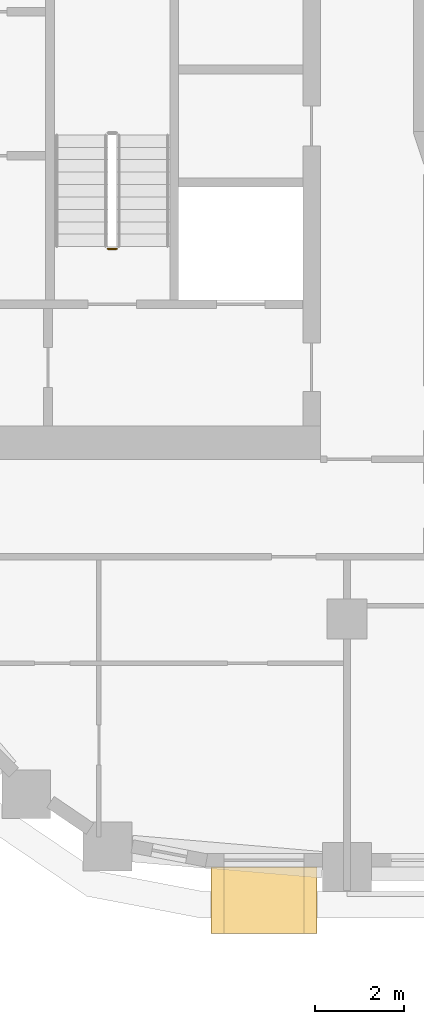
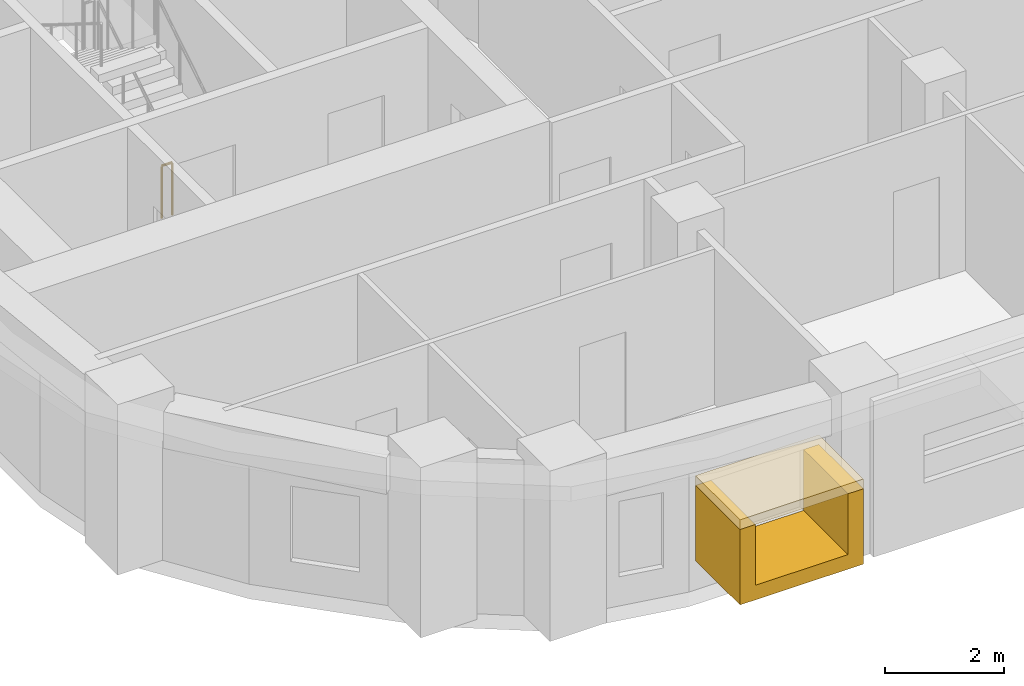
# One storey, part 11 of 22: 2 coverings, 1 railing.
"""IFC4 building model written with IfcOpenShell, lengths in metres."""

from ifc_helpers import new_model, si_unit, direction, frame, origin, origin_2d, place, context, subcontext, project, spatial, polyline, rectangle, circle, outline, extrude, material, layer, layer_set, type_object, element, save


model = new_model("IFC4")

# Units and contexts
model_context = context("Model", 3, precision=1e-05, world=origin(), true_north=direction((0.0, 1.0)))
body_context = subcontext(model_context, "Body", "Model", "MODEL_VIEW")
ifc_project = project(units=[si_unit("LENGTHUNIT", "METRE"), si_unit("AREAUNIT", "SQUARE_METRE"), si_unit("VOLUMEUNIT", "CUBIC_METRE"), si_unit("PLANEANGLEUNIT", "RADIAN"), si_unit("MASSUNIT", "GRAM", prefix="KILO")], contexts=[model_context])

# Site, building, storey
site_placement = place(None, origin())
site = spatial("IfcSite", under=ifc_project, at=site_placement, CompositionType="ELEMENT")
building_placement = place(site_placement, origin())
building = spatial("IfcBuilding", under=site, at=building_placement, Name="Kiln Ring Residences", CompositionType="ELEMENT")
storey_placement = place(building_placement, frame((0.0, 0.0, 146.60009765625)))
storey = spatial("IfcBuildingStorey", under=building, at=storey_placement, Name="L37", CompositionType="ELEMENT", Elevation=146.60009765625)

# Railing
ifc_material_1 = material(Name="Stainless steel", Category="steel")
railing_type = type_object("IfcRailingType", Name="CORE-STAIR-GUARD", PredefinedType="GUARDRAIL", material=ifc_material_1)
railing_placement = place(storey_placement, frame((-22.0, -8.449951171875, 0.0)))
element("IfcRailing", 1, at=railing_placement, inside=storey, type_object=railing_type, Name="L37 W-STS stair guard 4", PredefinedType="GUARDRAIL", context=body_context, shape_type="SweptSolid", body=[
    extrude(circle(Radius=0.02392578125, at=origin_2d()), frame((0.0, 0.0, 1.076171875), z_axis=(-1.0, 0.0, 0.0), x_axis=(0.0, -1.0, 0.0)), (0.0, 0.0, 1.0), 0.199951171875),
    extrude(circle(Radius=0.02099609375, at=origin_2d()), origin(), (0.0, 0.0, 1.0), 1.052001953125),
    extrude(circle(Radius=0.02099609375, at=origin_2d()), frame((-0.199951171875, 0.0, 0.0)), (0.0, 0.0, 1.0), 1.052001953125),
])

# Coverings
ifc_material_2 = material(Name="Brick masonry, dark clay brick", Category="masonry")
ifc_layer_1 = layer(ifc_material_2, 0.300048828125)
ifc_layer_set_1 = layer_set([ifc_layer_1], Name="FRAME CHEEKS AND SILL 1500")
covering_type_1 = type_object("IfcCoveringType", Name="FRAME CHEEKS AND SILL 1500", PredefinedType="CLADDING", material=ifc_layer_set_1)
covering_1_placement = place(storey_placement, frame((-19.875, -23.14990234375, 0.599853515625), z_axis=(0.0, 0.0, 1.0), x_axis=(1.0, 0.0, 0.0)))
element("IfcCovering", 2, at=covering_1_placement, inside=storey, type_object=covering_type_1, Name="FRAME L37", PredefinedType="CLADDING", context=body_context, shape_type="SweptSolid", body=[
    extrude(outline(polyline([(0.0, 0.0), (2.39990234375, 0.0), (2.39990234375, 1.550048828125), (2.10107421875, 1.550048828125), (2.10009765625, 0.300048828125), (0.300048828125, 0.300048828125), (0.299072265625, 1.550048828125), (0.0, 1.550048828125), (0.0, 0.0)])), frame((0.0, 0.75, 0.0), z_axis=(0.0, -1.0, 0.0), x_axis=(1.0, 0.0, 0.0)), (0.0, 0.0, 1.0), 1.5),
])
ifc_material_3 = material(Name="Brick masonry, dark clay brick", Category="masonry")
ifc_layer_2 = layer(ifc_material_3, 0.199951171875)
ifc_layer_set_2 = layer_set([ifc_layer_2], Name="FRAME HEAD 1500")
covering_type_2 = type_object("IfcCoveringType", Name="FRAME HEAD 1500", PredefinedType="CLADDING", material=ifc_layer_set_2)
covering_2_placement = place(storey_placement, frame((-18.675048828125, -23.14990234375, 2.14990234375), z_axis=(0.0, 0.0, 1.0), x_axis=(1.0, 0.0, 0.0)))
element("IfcCovering", 3, at=covering_2_placement, inside=storey, type_object=covering_type_2, Name="FRAME HEAD L37", PredefinedType="CLADDING", context=body_context, shape_type="SweptSolid", body=[
    extrude(rectangle(XDim=2.39990234375, YDim=1.5, at=origin_2d()), origin(), (0.0, 0.0, 1.0), 0.199951171875),
])

save(model, "model.ifc")
